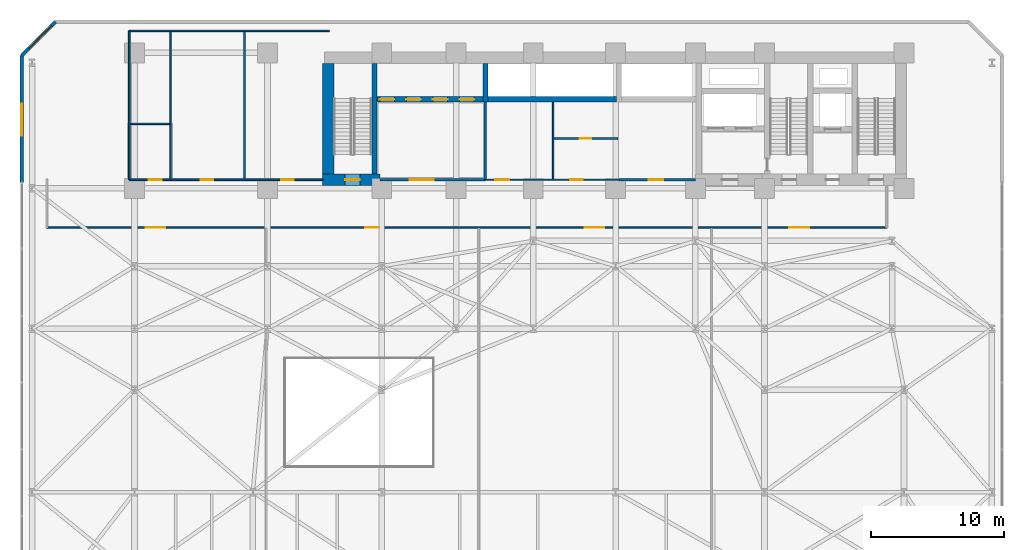
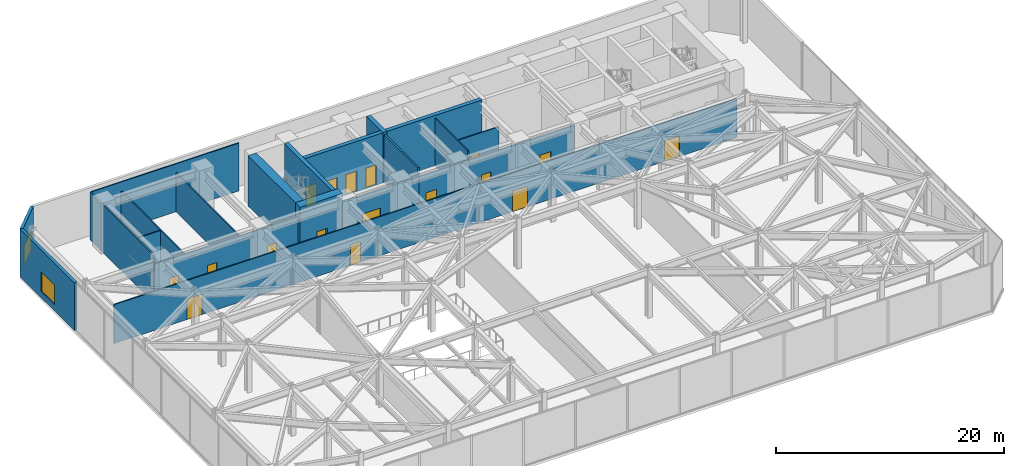
# One storey, part 25 of 29: 21 walls, 17 doors, 2 windows, 19 openings.
"""IFC4 building model written with IfcOpenShell, lengths in metres."""

from ifc_helpers import new_model, si_unit, direction, frame, frame_2d, origin, place, context, subcontext, project, spatial, rectangle, extrude, material, layer, layer_set, type_object, element, fill, save


model = new_model("IFC4")

# Units and contexts
model_context = context("Model", 3, precision=1e-05, world=origin(), true_north=direction((0.0, 1.0)))
body_context = subcontext(model_context, "Body", "Model", "MODEL_VIEW")
ifc_project = project(units=[si_unit("LENGTHUNIT", "METRE"), si_unit("AREAUNIT", "SQUARE_METRE"), si_unit("VOLUMEUNIT", "CUBIC_METRE"), si_unit("PLANEANGLEUNIT", "RADIAN"), si_unit("MASSUNIT", "GRAM", prefix="KILO")], contexts=[model_context])

# Site, building, storey
site_placement = place(None, origin())
site = spatial("IfcSite", under=ifc_project, at=site_placement, CompositionType="ELEMENT")
building_placement = place(site_placement, origin())
building = spatial("IfcBuilding", under=site, at=building_placement, Name="Kravanh Interchange Tower", CompositionType="ELEMENT")
storey_placement = place(building_placement, frame((0.0, 0.0, 5.39990234375)))
storey = spatial("IfcBuildingStorey", under=building, at=storey_placement, Name="L01", CompositionType="ELEMENT", Elevation=5.39990234375)

# Wall
ifc_material_1 = material(Name="Double Acoustic Gypsum Board and Mineral Wool")
ifc_layer_1 = layer(ifc_material_1, 0.1201171875)
ifc_layer_set_1 = layer_set([ifc_layer_1], Name="Acoustic Office Drywall Partition 120mm")
wall_type_1 = type_object("IfcWallType", Name="Acoustic Office Drywall Partition 120mm", PredefinedType="PARTITIONING", material=ifc_layer_set_1)
wall_1_placement = place(storey_placement, frame((40.10009765625, 38.068115234375, 0.0), z_axis=(0.0, 0.0, 1.0), x_axis=(0.0, 1.0, 0.0)))
element("IfcWall", 1, at=wall_1_placement, inside=storey, type_object=wall_type_1, Name="L01 Interior Partition 5", PredefinedType="PARTITIONING", context=body_context, shape_type="SweptSolid", body=[
    extrude(rectangle(XDim=5.77392578125, YDim=0.1201171875, at=frame_2d((2.886962890625, 0.0))), origin(), (0.0, 0.0, 1.0), 5.130126953125),
])

# Wall, opening, door
wall_2_placement = place(storey_placement, frame((40.16796875, 41.10009765625, 0.0), z_axis=(0.0, 0.0, 1.0), x_axis=(1.0, 0.0, 0.0)))
wall_2 = element("IfcWall", 2, at=wall_2_placement, inside=storey, type_object=wall_type_1, Name="L01 Interior Partition 6", PredefinedType="PARTITIONING", context=body_context, shape_type="SweptSolid", body=[
    extrude(rectangle(XDim=4.781982421875, YDim=0.1201171875, at=frame_2d((2.39111328125, 0.0))), origin(), (0.0, 0.0, 1.0), 4.18212890625),
])
opening_1_placement = place(wall_2_placement, frame((1.931884765625, 0.0, 0.0)))
opening_1 = element("IfcOpeningElement", 3, at=opening_1_placement, cuts=wall_2, Name="Opening D-85", PredefinedType="OPENING", context=body_context, shape_type="SweptSolid", body=[
    extrude(rectangle(XDim=0.85009765625, YDim=2.10009765625, at=frame_2d((0.425048828125, 1.050048828125))), frame((0.0, 0.070068359375, 0.0), z_axis=(0.0, -1.0, 0.0), x_axis=(1.0, 0.0, 0.0)), (0.0, 0.0, 1.0), 0.14013671875),
])
ifc_material_2 = material(Name="Engineered Teak Veneer Timber", Category="wood")
door_type_1 = type_object("IfcDoorType", Name="En-Suite Timber Door 850x2100", OperationType="NOTDEFINED", PredefinedType="DOOR", material=ifc_material_2)
door_1_placement = place(opening_1_placement, origin())
door_1 = element("IfcDoor", 4, at=door_1_placement, inside=storey, type_object=door_type_1, Name="L01 Inner Store Door", OperationType="SINGLE_SWING_RIGHT", OverallHeight=2.10009765625, OverallWidth=0.85009765625, PredefinedType="DOOR", context=body_context, shape_type="SweptSolid", body=[
    extrude(rectangle(XDim=0.85009765625, YDim=2.10009765625, at=frame_2d((0.425048828125, 1.050048828125))), frame((0.0, 0.02490234375, 0.0), z_axis=(0.0, -1.0, 0.0), x_axis=(1.0, 0.0, 0.0)), (0.0, 0.0, 1.0), 0.050048828125),
])
fill(opening_1, door_1)

# Wall, openings, doors
wall_3_placement = place(storey_placement, frame((2.0, 34.39990234375, 0.0), z_axis=(0.0, 0.0, 1.0), x_axis=(1.0, 0.0, 0.0)))
wall_3 = element("IfcWall", 5, at=wall_3_placement, inside=storey, type_object=wall_type_1, Name="L01 Interior Partition 7", PredefinedType="PARTITIONING", context=body_context, shape_type="SweptSolid", body=[
    extrude(rectangle(XDim=63.199951171875, YDim=0.1201171875, at=frame_2d((31.60009765625, 0.0))), origin(), (0.0, 0.0, 1.0), 4.18212890625),
])
opening_2_placement = place(wall_3_placement, frame((7.425048828125, 0.0, 0.0)))
opening_2 = element("IfcOpeningElement", 6, at=opening_2_placement, cuts=wall_3, Name="Opening DBL-150", PredefinedType="OPENING", context=body_context, shape_type="SweptSolid", body=[
    extrude(rectangle(XDim=1.5, YDim=2.199951171875, at=frame_2d((0.75, 1.10009765625))), frame((0.0, 0.070068359375, 0.0), z_axis=(0.0, -1.0, 0.0), x_axis=(1.0, 0.0, 0.0)), (0.0, 0.0, 1.0), 0.14013671875),
])
opening_3_placement = place(wall_3_placement, frame((23.97509765625, 0.0, 0.0)))
opening_3 = element("IfcOpeningElement", 7, at=opening_3_placement, cuts=wall_3, Name="Opening D-105", PredefinedType="OPENING", context=body_context, shape_type="SweptSolid", body=[
    extrude(rectangle(XDim=1.050048828125, YDim=2.199951171875, at=frame_2d((0.52490234375, 1.10009765625))), frame((0.0, 0.070068359375, 0.0), z_axis=(0.0, -1.0, 0.0), x_axis=(1.0, 0.0, 0.0)), (0.0, 0.0, 1.0), 0.14013671875),
])
opening_4_placement = place(wall_3_placement, frame((40.4599609375, 0.0, 0.0)))
opening_4 = element("IfcOpeningElement", 8, at=opening_4_placement, cuts=wall_3, Name="Opening DBL-150", PredefinedType="OPENING", context=body_context, shape_type="SweptSolid", body=[
    extrude(rectangle(XDim=1.5, YDim=2.199951171875, at=frame_2d((0.75, 1.10009765625))), frame((0.0, 0.070068359375, 0.0), z_axis=(0.0, -1.0, 0.0), x_axis=(1.0, 0.0, 0.0)), (0.0, 0.0, 1.0), 0.14013671875),
])
opening_5_placement = place(wall_3_placement, frame((55.875, 0.0, 0.0)))
opening_5 = element("IfcOpeningElement", 9, at=opening_5_placement, cuts=wall_3, Name="Opening DBL-150", PredefinedType="OPENING", context=body_context, shape_type="SweptSolid", body=[
    extrude(rectangle(XDim=1.5, YDim=2.199951171875, at=frame_2d((0.75, 1.10009765625))), frame((0.0, 0.070068359375, 0.0), z_axis=(0.0, -1.0, 0.0), x_axis=(1.0, 0.0, 0.0)), (0.0, 0.0, 1.0), 0.14013671875),
])
ifc_material_3 = material(Name="Acoustic Timber and Toughened Glass", Category="wood")
door_type_2 = type_object("IfcDoorType", Name="Conference Hall Double Door 1500x2200", OperationType="DOUBLE_DOOR_SINGLE_SWING", PredefinedType="DOOR", material=ifc_material_3)
door_2_placement = place(opening_2_placement, origin())
door_2 = element("IfcDoor", 10, at=door_2_placement, inside=storey, type_object=door_type_2, Name="L01 Mezzanine Retail Gallery Door", OperationType="DOUBLE_DOOR_SINGLE_SWING", OverallHeight=2.199951171875, OverallWidth=1.5, PredefinedType="DOOR", context=body_context, shape_type="SweptSolid", body=[
    extrude(rectangle(XDim=1.5, YDim=2.199951171875, at=frame_2d((0.75, 1.10009765625))), frame((0.0, 0.02490234375, 0.0), z_axis=(0.0, -1.0, 0.0), x_axis=(1.0, 0.0, 0.0)), (0.0, 0.0, 1.0), 0.050048828125),
])
fill(opening_2, door_2)
door_3_placement = place(opening_4_placement, origin())
door_3 = element("IfcDoor", 11, at=door_3_placement, inside=storey, type_object=door_type_2, Name="L01 Bookshop and Pharmacy Door", OperationType="DOUBLE_DOOR_SINGLE_SWING", OverallHeight=2.199951171875, OverallWidth=1.5, PredefinedType="DOOR", context=body_context, shape_type="SweptSolid", body=[
    extrude(rectangle(XDim=1.5, YDim=2.199951171875, at=frame_2d((0.75, 1.10009765625))), frame((0.0, 0.02490234375, 0.0), z_axis=(0.0, -1.0, 0.0), x_axis=(1.0, 0.0, 0.0)), (0.0, 0.0, 1.0), 0.050048828125),
])
fill(opening_4, door_3)
door_4_placement = place(opening_5_placement, origin())
door_4 = element("IfcDoor", 12, at=door_4_placement, inside=storey, type_object=door_type_2, Name="L01 Commuter Retail Arcade Door", OperationType="DOUBLE_DOOR_SINGLE_SWING", OverallHeight=2.199951171875, OverallWidth=1.5, PredefinedType="DOOR", context=body_context, shape_type="SweptSolid", body=[
    extrude(rectangle(XDim=1.5, YDim=2.199951171875, at=frame_2d((0.75, 1.10009765625))), frame((0.0, 0.02490234375, 0.0), z_axis=(0.0, -1.0, 0.0), x_axis=(1.0, 0.0, 0.0)), (0.0, 0.0, 1.0), 0.050048828125),
])
fill(opening_5, door_4)
ifc_material_4 = material(Name="Acoustic Glazed Oak and Aluminium", Category="aluminium")
door_type_3 = type_object("IfcDoorType", Name="Office Workplace Door 1050x2200", OperationType="NOTDEFINED", PredefinedType="DOOR", material=ifc_material_4)
door_5_placement = place(opening_3_placement, origin())
door_5 = element("IfcDoor", 13, at=door_5_placement, inside=storey, type_object=door_type_3, Name="L01 Transit Fare Overlook Hall Door", OperationType="SINGLE_SWING_RIGHT", OverallHeight=2.199951171875, OverallWidth=1.050048828125, PredefinedType="DOOR", context=body_context, shape_type="SweptSolid", body=[
    extrude(rectangle(XDim=1.050048828125, YDim=2.199951171875, at=frame_2d((0.52490234375, 1.10009765625))), frame((0.0, 0.02490234375, 0.0), z_axis=(0.0, -1.0, 0.0), x_axis=(1.0, 0.0, 0.0)), (0.0, 0.0, 1.0), 0.050048828125),
])
fill(opening_3, door_5)

wall_4_placement = place(storey_placement, frame((8.199951171875, 38.0, 0.0), z_axis=(0.0, 0.0, 1.0), x_axis=(1.0, 0.0, 0.0)))
wall_4 = element("IfcWall", 14, at=wall_4_placement, inside=storey, type_object=wall_type_1, Name="L01 Restroom Corridor Wall 10", PredefinedType="PARTITIONING", context=body_context, shape_type="SweptSolid", body=[
    extrude(rectangle(XDim=14.550048828125, YDim=0.1201171875, at=frame_2d((7.27490234375, 0.0))), origin(), (0.0, 0.0, 1.0), 4.18212890625),
])
opening_6_placement = place(wall_4_placement, frame((1.481689453125, 0.0, 0.0)))
opening_6 = element("IfcOpeningElement", 15, at=opening_6_placement, cuts=wall_4, Name="Opening D-95", PredefinedType="OPENING", context=body_context, shape_type="SweptSolid", body=[
    extrude(rectangle(XDim=0.949951171875, YDim=2.14990234375, at=frame_2d((0.47509765625, 1.074951171875))), frame((0.0, 0.070068359375, 0.0), z_axis=(0.0, -1.0, 0.0), x_axis=(1.0, 0.0, 0.0)), (0.0, 0.0, 1.0), 0.14013671875),
])
opening_7_placement = place(wall_4_placement, frame((5.369873046875, 0.0, 0.0)))
opening_7 = element("IfcOpeningElement", 16, at=opening_7_placement, cuts=wall_4, Name="Opening D-95", PredefinedType="OPENING", context=body_context, shape_type="SweptSolid", body=[
    extrude(rectangle(XDim=0.949951171875, YDim=2.14990234375, at=frame_2d((0.47509765625, 1.074951171875))), frame((0.0, 0.070068359375, 0.0), z_axis=(0.0, -1.0, 0.0), x_axis=(1.0, 0.0, 0.0)), (0.0, 0.0, 1.0), 0.14013671875),
])
opening_8_placement = place(wall_4_placement, frame((11.436767578125, 0.0, 0.0)))
opening_8 = element("IfcOpeningElement", 17, at=opening_8_placement, cuts=wall_4, Name="Opening D-95", PredefinedType="OPENING", context=body_context, shape_type="SweptSolid", body=[
    extrude(rectangle(XDim=0.949951171875, YDim=2.14990234375, at=frame_2d((0.47509765625, 1.074951171875))), frame((0.0, 0.070068359375, 0.0), z_axis=(0.0, -1.0, 0.0), x_axis=(1.0, 0.0, 0.0)), (0.0, 0.0, 1.0), 0.14013671875),
])
ifc_material_5 = material(Name="Laminate Solid-Core Timber", Category="wood")
door_type_4 = type_object("IfcDoorType", Name="Accessible Restroom Door 950x2150", OperationType="NOTDEFINED", PredefinedType="DOOR", material=ifc_material_5)
door_6_placement = place(opening_6_placement, origin())
door_6 = element("IfcDoor", 18, at=door_6_placement, inside=storey, type_object=door_type_4, Name="L01 Accessible WC Door", OperationType="SINGLE_SWING_LEFT", OverallHeight=2.14990234375, OverallWidth=0.949951171875, PredefinedType="DOOR", context=body_context, shape_type="SweptSolid", body=[
    extrude(rectangle(XDim=0.949951171875, YDim=2.14990234375, at=frame_2d((0.47509765625, 1.074951171875))), frame((0.0, 0.02490234375, 0.0), z_axis=(0.0, -1.0, 0.0), x_axis=(1.0, 0.0, 0.0)), (0.0, 0.0, 1.0), 0.050048828125),
])
fill(opening_6, door_6)
door_7_placement = place(opening_7_placement, origin())
door_7 = element("IfcDoor", 19, at=door_7_placement, inside=storey, type_object=door_type_4, Name="L01 Female WC Door", OperationType="SINGLE_SWING_RIGHT", OverallHeight=2.14990234375, OverallWidth=0.949951171875, PredefinedType="DOOR", context=body_context, shape_type="SweptSolid", body=[
    extrude(rectangle(XDim=0.949951171875, YDim=2.14990234375, at=frame_2d((0.47509765625, 1.074951171875))), frame((0.0, 0.02490234375, 0.0), z_axis=(0.0, -1.0, 0.0), x_axis=(1.0, 0.0, 0.0)), (0.0, 0.0, 1.0), 0.050048828125),
])
fill(opening_7, door_7)
door_8_placement = place(opening_8_placement, origin())
door_8 = element("IfcDoor", 20, at=door_8_placement, inside=storey, type_object=door_type_4, Name="L01 Male WC Door", OperationType="SINGLE_SWING_LEFT", OverallHeight=2.14990234375, OverallWidth=0.949951171875, PredefinedType="DOOR", context=body_context, shape_type="SweptSolid", body=[
    extrude(rectangle(XDim=0.949951171875, YDim=2.14990234375, at=frame_2d((0.47509765625, 1.074951171875))), frame((0.0, 0.02490234375, 0.0), z_axis=(0.0, -1.0, 0.0), x_axis=(1.0, 0.0, 0.0)), (0.0, 0.0, 1.0), 0.050048828125),
])
fill(opening_8, door_8)

# Walls
wall_5_placement = place(storey_placement, frame((8.199951171875, 38.0, 0.0), z_axis=(0.0, 0.0, 1.0), x_axis=(0.0, 1.0, 0.0)))
element("IfcWall", 21, at=wall_5_placement, inside=storey, type_object=wall_type_1, Name="L01 Restroom West Enclosure 11", PredefinedType="PARTITIONING", context=body_context, shape_type="SweptSolid", body=[
    extrude(rectangle(XDim=11.199951171875, YDim=0.1201171875, at=frame_2d((5.60009765625, 0.0))), origin(), (0.0, 0.0, 1.0), 5.130126953125),
])
wall_6_placement = place(storey_placement, frame((8.199951171875, 49.199951171875, 0.0), z_axis=(0.0, 0.0, 1.0), x_axis=(1.0, 0.0, 0.0)))
element("IfcWall", 22, at=wall_6_placement, inside=storey, type_object=wall_type_1, Name="L01 Restroom North Enclosure 12", PredefinedType="PARTITIONING", context=body_context, shape_type="SweptSolid", body=[
    extrude(rectangle(XDim=15.050048828125, YDim=0.1201171875, at=frame_2d((7.52490234375, 0.0))), origin(), (0.0, 0.0, 1.0), 5.130126953125),
])
for number, where, z_axis, x_axis, name in (
    (23, (11.300048828125, 38.068115234375, 0.0), (0.0, 0.0, 1.0), (0.0, 1.0, 0.0), "L01 Interior Partition 13"),
    (24, (16.8701171875, 38.068115234375, 0.0), (0.0, 0.0, 1.0), (0.0, 1.0, 0.0), "L01 Interior Partition 14"),
):
    element("IfcWall", number, at=place(storey_placement, frame(where, z_axis=z_axis, x_axis=x_axis)), inside=storey, type_object=wall_type_1, Name=name, PredefinedType="PARTITIONING", context=body_context, shape_type="SweptSolid", body=[
        extrude(rectangle(XDim=11.06396484375, YDim=0.1201171875, at=frame_2d((5.531982421875, 0.0))), origin(), (0.0, 0.0, 1.0), 4.18212890625),
    ])
wall_7_placement = place(storey_placement, frame((8.26806640625, 42.199951171875, 0.0), z_axis=(0.0, 0.0, 1.0), x_axis=(1.0, 0.0, 0.0)))
element("IfcWall", 25, at=wall_7_placement, inside=storey, type_object=wall_type_1, Name="L01 Interior Partition 15", PredefinedType="PARTITIONING", context=body_context, shape_type="SweptSolid", body=[
    extrude(rectangle(XDim=2.9638671875, YDim=0.1201171875, at=frame_2d((1.48193359375, 0.0))), origin(), (0.0, 0.0, 1.0), 4.18212890625),
])
ifc_material_6 = material(Name="Concrete C80/95", Category="concrete")
ifc_layer_2 = layer(ifc_material_6, 0.39990234375)
ifc_layer_set_2 = layer_set([ifc_layer_2], Name="Core Shear Wall Concrete C80/95 400mm")
wall_type_2 = type_object("IfcWallType", Name="Core Shear Wall Concrete C80/95 400mm", PredefinedType="SHEAR", material=ifc_layer_set_2)
wall_8_placement = place(storey_placement, frame((35.199951171875, 44.050048828125, 0.0), z_axis=(0.0, 0.0, 1.0), x_axis=(1.0, 0.0, 0.0)))
element("IfcWall", 26, at=wall_8_placement, inside=storey, type_object=wall_type_2, Name="L01 Mid-Rise Lift Shaft South Wall", PredefinedType="SHEAR", context=body_context, shape_type="SweptSolid", body=[
    extrude(rectangle(XDim=9.650146484375, YDim=0.39990234375, at=frame_2d((4.8251953125, 0.0))), origin(), (0.0, 0.0, 1.0), 5.400146484375),
])
wall_9_placement = place(storey_placement, frame((35.0, 43.85009765625, 0.0), z_axis=(0.0, 0.0, 1.0), x_axis=(0.0, 1.0, 0.0)))
element("IfcWall", 27, at=wall_9_placement, inside=storey, type_object=wall_type_2, Name="L01 Mid-Rise Lift Shaft West Wall", PredefinedType="SHEAR", context=body_context, shape_type="SweptSolid", body=[
    extrude(rectangle(XDim=2.89990234375, YDim=0.39990234375, at=frame_2d((1.449951171875, 0.0))), origin(), (0.0, 0.0, 1.0), 5.400146484375),
])

# Wall, openings, doors
wall_10_placement = place(storey_placement, frame((26.85009765625, 44.050048828125, 0.0), z_axis=(0.0, 0.0, 1.0), x_axis=(1.0, 0.0, 0.0)))
wall_10 = element("IfcWall", 28, at=wall_10_placement, inside=storey, type_object=wall_type_2, Name="L01 Low-Rise Lift Shaft South Wall", PredefinedType="SHEAR", context=body_context, shape_type="SweptSolid", body=[
    extrude(rectangle(XDim=7.949951171875, YDim=0.39990234375, at=frame_2d((3.97509765625, 0.0))), origin(), (0.0, 0.0, 1.0), 5.400146484375),
])
opening_9_placement = place(wall_10_placement, frame((0.199951171875, 0.0, 0.0)))
opening_9 = element("IfcOpeningElement", 29, at=opening_9_placement, cuts=wall_10, Name="Opening LD01", PredefinedType="OPENING", context=body_context, shape_type="SweptSolid", body=[
    extrude(rectangle(XDim=1.10009765625, YDim=2.199951171875, at=frame_2d((0.550048828125, 1.10009765625))), frame((0.0, 0.2099609375, 0.0), z_axis=(0.0, -1.0, 0.0), x_axis=(1.0, 0.0, 0.0)), (0.0, 0.0, 1.0), 0.419921875),
])
opening_10_placement = place(wall_10_placement, frame((2.199951171875, 0.0, 0.0)))
opening_10 = element("IfcOpeningElement", 30, at=opening_10_placement, cuts=wall_10, Name="Opening LD01", PredefinedType="OPENING", context=body_context, shape_type="SweptSolid", body=[
    extrude(rectangle(XDim=1.10009765625, YDim=2.199951171875, at=frame_2d((0.550048828125, 1.10009765625))), frame((0.0, 0.2099609375, 0.0), z_axis=(0.0, -1.0, 0.0), x_axis=(1.0, 0.0, 0.0)), (0.0, 0.0, 1.0), 0.419921875),
])
opening_11_placement = place(wall_10_placement, frame((4.199951171875, 0.0, 0.0)))
opening_11 = element("IfcOpeningElement", 31, at=opening_11_placement, cuts=wall_10, Name="Opening LD01", PredefinedType="OPENING", context=body_context, shape_type="SweptSolid", body=[
    extrude(rectangle(XDim=1.10009765625, YDim=2.199951171875, at=frame_2d((0.550048828125, 1.10009765625))), frame((0.0, 0.2099609375, 0.0), z_axis=(0.0, -1.0, 0.0), x_axis=(1.0, 0.0, 0.0)), (0.0, 0.0, 1.0), 0.419921875),
])
opening_12_placement = place(wall_10_placement, frame((6.199951171875, 0.0, 0.0)))
opening_12 = element("IfcOpeningElement", 32, at=opening_12_placement, cuts=wall_10, Name="Opening LD01", PredefinedType="OPENING", context=body_context, shape_type="SweptSolid", body=[
    extrude(rectangle(XDim=1.10009765625, YDim=2.199951171875, at=frame_2d((0.550048828125, 1.10009765625))), frame((0.0, 0.2099609375, 0.0), z_axis=(0.0, -1.0, 0.0), x_axis=(1.0, 0.0, 0.0)), (0.0, 0.0, 1.0), 0.419921875),
])
ifc_material_7 = material(Name="Stainless Steel 304", Category="steel")
door_type_5 = type_object("IfcDoorType", Name="Passenger Lift Sliding Landing Door 1100x2200", OperationType="DOUBLE_DOOR_SLIDING", PredefinedType="DOOR", material=ifc_material_7)
door_9_placement = place(opening_9_placement, origin())
door_9 = element("IfcDoor", 33, at=door_9_placement, inside=storey, type_object=door_type_5, Name="L01 Lift LP-L1 Landing Door", OperationType="DOUBLE_DOOR_SLIDING", OverallHeight=2.199951171875, OverallWidth=1.10009765625, PredefinedType="DOOR", context=body_context, shape_type="SweptSolid", body=[
    extrude(rectangle(XDim=1.10009765625, YDim=2.199951171875, at=frame_2d((0.550048828125, 1.10009765625))), frame((0.0, 0.02490234375, 0.0), z_axis=(0.0, -1.0, 0.0), x_axis=(1.0, 0.0, 0.0)), (0.0, 0.0, 1.0), 0.050048828125),
])
fill(opening_9, door_9)
door_10_placement = place(opening_10_placement, origin())
door_10 = element("IfcDoor", 34, at=door_10_placement, inside=storey, type_object=door_type_5, Name="L01 Lift LP-L2 Landing Door", OperationType="DOUBLE_DOOR_SLIDING", OverallHeight=2.199951171875, OverallWidth=1.10009765625, PredefinedType="DOOR", context=body_context, shape_type="SweptSolid", body=[
    extrude(rectangle(XDim=1.10009765625, YDim=2.199951171875, at=frame_2d((0.550048828125, 1.10009765625))), frame((0.0, 0.02490234375, 0.0), z_axis=(0.0, -1.0, 0.0), x_axis=(1.0, 0.0, 0.0)), (0.0, 0.0, 1.0), 0.050048828125),
])
fill(opening_10, door_10)
door_11_placement = place(opening_11_placement, origin())
door_11 = element("IfcDoor", 35, at=door_11_placement, inside=storey, type_object=door_type_5, Name="L01 Lift LP-L3 Landing Door", OperationType="DOUBLE_DOOR_SLIDING", OverallHeight=2.199951171875, OverallWidth=1.10009765625, PredefinedType="DOOR", context=body_context, shape_type="SweptSolid", body=[
    extrude(rectangle(XDim=1.10009765625, YDim=2.199951171875, at=frame_2d((0.550048828125, 1.10009765625))), frame((0.0, 0.02490234375, 0.0), z_axis=(0.0, -1.0, 0.0), x_axis=(1.0, 0.0, 0.0)), (0.0, 0.0, 1.0), 0.050048828125),
])
fill(opening_11, door_11)
door_12_placement = place(opening_12_placement, origin())
door_12 = element("IfcDoor", 36, at=door_12_placement, inside=storey, type_object=door_type_5, Name="L01 Lift LP-L4 Landing Door", OperationType="DOUBLE_DOOR_SLIDING", OverallHeight=2.199951171875, OverallWidth=1.10009765625, PredefinedType="DOOR", context=body_context, shape_type="SweptSolid", body=[
    extrude(rectangle(XDim=1.10009765625, YDim=2.199951171875, at=frame_2d((0.550048828125, 1.10009765625))), frame((0.0, 0.02490234375, 0.0), z_axis=(0.0, -1.0, 0.0), x_axis=(1.0, 0.0, 0.0)), (0.0, 0.0, 1.0), 0.050048828125),
])
fill(opening_12, door_12)

# Wall
wall_11_placement = place(storey_placement, frame((26.64990234375, 38.425048828125, 0.0), z_axis=(0.0, 0.0, 1.0), x_axis=(0.0, 1.0, 0.0)))
element("IfcWall", 37, at=wall_11_placement, inside=storey, type_object=wall_type_2, Name="L01 Stair ST3 East Shear Wall", PredefinedType="SHEAR", context=body_context, shape_type="SweptSolid", body=[
    extrude(rectangle(XDim=8.324951171875, YDim=0.39990234375, at=frame_2d((4.16259765625, 0.0))), origin(), (0.0, 0.0, 1.0), 5.400146484375),
])

# Wall, opening, door
ifc_material_8 = material(Name="Concrete C80/95", Category="concrete")
ifc_layer_3 = layer(ifc_material_8, 0.85009765625)
ifc_layer_set_3 = layer_set([ifc_layer_3], Name="Core Shear Wall Concrete C80/95 850mm")
wall_type_3 = type_object("IfcWallType", Name="Core Shear Wall Concrete C80/95 850mm", PredefinedType="SHEAR", material=ifc_layer_set_3)
wall_12_placement = place(storey_placement, frame((22.75, 38.0, 0.0), z_axis=(0.0, 0.0, 1.0), x_axis=(1.0, 0.0, 0.0)))
wall_12 = element("IfcWall", 38, at=wall_12_placement, inside=storey, type_object=wall_type_3, Name="L01 Stair ST3 South Shear Wall", PredefinedType="SHEAR", context=body_context, shape_type="SweptSolid", body=[
    extrude(rectangle(XDim=4.300048828125, YDim=0.85009765625, at=frame_2d((2.14990234375, 0.0))), origin(), (0.0, 0.0, 1.0), 5.400146484375),
])
opening_13_placement = place(wall_12_placement, frame((1.699951171875, 0.0, 0.0)))
opening_13 = element("IfcOpeningElement", 39, at=opening_13_placement, cuts=wall_12, Name="Opening D-STAIR-110", PredefinedType="OPENING", context=body_context, shape_type="SweptSolid", body=[
    extrude(rectangle(XDim=1.10009765625, YDim=2.199951171875, at=frame_2d((0.550048828125, 1.10009765625))), frame((0.0, 0.43505859375, 0.0), z_axis=(0.0, -1.0, 0.0), x_axis=(1.0, 0.0, 0.0)), (0.0, 0.0, 1.0), 0.8701171875),
])
ifc_material_9 = material(Name="Structural Steel S355", Category="steel")
door_type_6 = type_object("IfcDoorType", Name="Fire-Rated Exit Stair Door 1100x2200", OperationType="NOTDEFINED", PredefinedType="DOOR", material=ifc_material_9)
door_13_placement = place(opening_13_placement, origin())
door_13 = element("IfcDoor", 40, at=door_13_placement, inside=storey, type_object=door_type_6, Name="L01 Exit Stair ST3 Door", OperationType="SINGLE_SWING_RIGHT", OverallHeight=2.199951171875, OverallWidth=1.10009765625, PredefinedType="DOOR", context=body_context, shape_type="SweptSolid", body=[
    extrude(rectangle(XDim=1.10009765625, YDim=2.199951171875, at=frame_2d((0.550048828125, 1.10009765625))), frame((0.0, 0.02490234375, 0.0), z_axis=(0.0, -1.0, 0.0), x_axis=(1.0, 0.0, 0.0)), (0.0, 0.0, 1.0), 0.050048828125),
])
fill(opening_13, door_13)

# Wall
wall_13_placement = place(storey_placement, frame((23.175048828125, 38.425048828125, 0.0), z_axis=(0.0, 0.0, 1.0), x_axis=(0.0, 1.0, 0.0)))
element("IfcWall", 41, at=wall_13_placement, inside=storey, type_object=wall_type_3, Name="L01 Stair ST3 West Shear Wall", PredefinedType="SHEAR", context=body_context, shape_type="SweptSolid", body=[
    extrude(rectangle(XDim=8.324951171875, YDim=0.85009765625, at=frame_2d((4.16259765625, 0.0))), origin(), (0.0, 0.0, 1.0), 5.400146484375),
])

# Wall, opening, window
ifc_material_10 = material(Name="Insulated Precast Concrete C40/50 with Bronze Cladding", Category="concrete")
ifc_layer_4 = layer(ifc_material_10, 0.280029296875)
ifc_layer_set_4 = layer_set([ifc_layer_4], Name="Exterior Insulated Concrete C40/50 Bronze Spandrel Wall 280mm")
wall_type_4 = type_object("IfcWallType", Name="Exterior Insulated Concrete C40/50 Bronze Spandrel Wall 280mm", PredefinedType="STANDARD", material=ifc_layer_set_4)
wall_14_placement = place(storey_placement, frame((0.1201171875, 37.800048828125, 0.0), z_axis=(0.0, 0.0, 1.0), x_axis=(0.0, 1.0, 0.0)))
wall_14 = element("IfcWall", 42, at=wall_14_placement, inside=storey, type_object=wall_type_4, Name="L01 Exterior Wall 1", PredefinedType="STANDARD", context=body_context, shape_type="SweptSolid", body=[
    extrude(rectangle(XDim=9.55029296875, YDim=0.280029296875, at=frame_2d((4.775146484375, 0.0))), origin(), (0.0, 0.0, 1.0), 5.130126953125),
])
opening_14_placement = place(wall_14_placement, frame((3.5146484375, 0.0, 0.64990234375)))
opening_14 = element("IfcOpeningElement", 43, at=opening_14_placement, cuts=wall_14, Name="Opening WN-240X210", PredefinedType="OPENING", context=body_context, shape_type="SweptSolid", body=[
    extrude(rectangle(XDim=2.39990234375, YDim=2.10009765625, at=frame_2d((1.199951171875, 1.050048828125))), frame((0.0, 0.14990234375, 0.0), z_axis=(0.0, -1.0, 0.0), x_axis=(1.0, 0.0, 0.0)), (0.0, 0.0, 1.0), 0.300048828125),
])
ifc_material_11 = material(Name="Thermally Broken Bronze Aluminium and Low-E Glass", Category="aluminium")
window_type = type_object("IfcWindowType", Name="Podium Punched Window 2400x2100", PartitioningType="SINGLE_PANEL", PredefinedType="WINDOW", material=ifc_material_11)
window_1_placement = place(opening_14_placement, origin())
window_1 = element("IfcWindow", 44, at=window_1_placement, inside=storey, type_object=window_type, Name="L01 Corner Window 1", OverallHeight=2.10009765625, OverallWidth=2.39990234375, PartitioningType="SINGLE_PANEL", PredefinedType="WINDOW", context=body_context, shape_type="SweptSolid", body=[
    extrude(rectangle(XDim=2.39990234375, YDim=2.10009765625, at=frame_2d((1.199951171875, 1.050048828125))), frame((0.0, 0.030029296875, 0.0), z_axis=(0.0, -1.0, 0.0), x_axis=(1.0, 0.0, 0.0)), (0.0, 0.0, 1.0), 0.06005859375),
])
fill(opening_14, window_1)

wall_15_placement = place(storey_placement, frame((0.1201171875, 47.350341796875, 0.0), z_axis=(0.0, 0.0, 1.0), x_axis=(0.707106781187, 0.707106781187, 0.0)))
wall_15 = element("IfcWall", 45, at=wall_15_placement, inside=storey, type_object=wall_type_4, Name="L01 Exterior Wall 2", PredefinedType="STANDARD", context=body_context, shape_type="SweptSolid", body=[
    extrude(rectangle(XDim=3.577392578125, YDim=0.280029296875, at=frame_2d((1.78857421875, 0.0))), origin(), (0.0, 0.0, 1.0), 5.130126953125),
])
opening_15_placement = place(wall_15_placement, frame((0.750732421875, 0.0, 0.64990234375)))
opening_15 = element("IfcOpeningElement", 46, at=opening_15_placement, cuts=wall_15, Name="Opening WN-240X210", PredefinedType="OPENING", context=body_context, shape_type="SweptSolid", body=[
    extrude(rectangle(XDim=2.39990234375, YDim=2.10009765625, at=frame_2d((1.199951171875, 1.050048828125))), frame((0.0, 0.14990234375, 0.0), z_axis=(0.0, -1.0, 0.0), x_axis=(1.0, 0.0, 0.0)), (0.0, 0.0, 1.0), 0.300048828125),
])
window_2_placement = place(opening_15_placement, origin())
window_2 = element("IfcWindow", 47, at=window_2_placement, inside=storey, type_object=window_type, Name="L01 Corner Window 2", OverallHeight=2.10009765625, OverallWidth=2.39990234375, PartitioningType="SINGLE_PANEL", PredefinedType="WINDOW", context=body_context, shape_type="SweptSolid", body=[
    extrude(rectangle(XDim=2.39990234375, YDim=2.10009765625, at=frame_2d((1.199951171875, 1.050048828125))), frame((0.0, 0.030029296875, 0.0), z_axis=(0.0, -1.0, 0.0), x_axis=(1.0, 0.0, 0.0)), (0.0, 0.0, 1.0), 0.06005859375),
])
fill(opening_15, window_2)

# Wall, opening, door
ifc_material_12 = material(Name="Autoclaved Aerated Concrete C30/37 Blockwork", Category="masonry")
ifc_layer_5 = layer(ifc_material_12, 0.179931640625)
ifc_layer_set_5 = layer_set([ifc_layer_5], Name="Fire-Rated Lobby and Corridor Wall Concrete C30/37 180mm")
wall_type_5 = type_object("IfcWallType", Name="Fire-Rated Lobby and Corridor Wall Concrete C30/37 180mm", PredefinedType="STANDARD", material=ifc_layer_set_5)
wall_16_placement = place(storey_placement, frame((45.050048828125, 38.0, 0.0), z_axis=(0.0, 0.0, 1.0), x_axis=(1.0, 0.0, 0.0)))
wall_16 = element("IfcWall", 48, at=wall_16_placement, inside=storey, type_object=wall_type_5, Name="L01 Core South Enclosure 1", PredefinedType="STANDARD", context=body_context, shape_type="SweptSolid", body=[
    extrude(rectangle(XDim=5.75, YDim=0.179931640625, at=frame_2d((2.875, 0.0))), origin(), (0.0, 0.0, 1.0), 4.18212890625),
])
opening_16_placement = place(wall_16_placement, frame((2.240478515625, 0.0, 0.0)))
opening_16 = element("IfcOpeningElement", 49, at=opening_16_placement, cuts=wall_16, Name="Opening D-SHAFT-110", PredefinedType="OPENING", context=body_context, shape_type="SweptSolid", body=[
    extrude(rectangle(XDim=1.10009765625, YDim=2.199951171875, at=frame_2d((0.550048828125, 1.10009765625))), frame((0.0, 0.10009765625, 0.0), z_axis=(0.0, -1.0, 0.0), x_axis=(1.0, 0.0, 0.0)), (0.0, 0.0, 1.0), 0.199951171875),
])
ifc_material_13 = material(Name="Fire-Rated Composite Timber Leaf", Category="wood")
door_type_7 = type_object("IfcDoorType", Name="Fire-Rated Core Support Door 1100x2200", OperationType="NOTDEFINED", PredefinedType="DOOR", material=ifc_material_13)
door_14_placement = place(opening_16_placement, origin())
door_14 = element("IfcDoor", 50, at=door_14_placement, inside=storey, type_object=door_type_7, Name="L01 Core AHU Fan Room Door", OperationType="SINGLE_SWING_LEFT", OverallHeight=2.199951171875, OverallWidth=1.10009765625, PredefinedType="DOOR", context=body_context, shape_type="SweptSolid", body=[
    extrude(rectangle(XDim=1.10009765625, YDim=2.199951171875, at=frame_2d((0.550048828125, 1.10009765625))), frame((0.0, 0.02490234375, 0.0), z_axis=(0.0, -1.0, 0.0), x_axis=(1.0, 0.0, 0.0)), (0.0, 0.0, 1.0), 0.050048828125),
])
fill(opening_16, door_14)

# Wall
wall_17_placement = place(storey_placement, frame((35.0, 38.0, 0.0), z_axis=(0.0, 0.0, 1.0), x_axis=(0.0, 1.0, 0.0)))
element("IfcWall", 51, at=wall_17_placement, inside=storey, type_object=wall_type_5, Name="L01 Low-Rise Lobby East Wall 2", PredefinedType="STANDARD", context=body_context, shape_type="SweptSolid", body=[
    extrude(rectangle(XDim=5.85009765625, YDim=0.179931640625, at=frame_2d((2.925048828125, 0.0))), origin(), (0.0, 0.0, 1.0), 5.130126953125),
])

# Wall, opening, door
wall_18_placement = place(storey_placement, frame((27.050048828125, 38.0, 0.0), z_axis=(0.0, 0.0, 1.0), x_axis=(1.0, 0.0, 0.0)))
wall_18 = element("IfcWall", 52, at=wall_18_placement, inside=storey, type_object=wall_type_5, Name="L01 Low-Rise Lobby South Wall 3", PredefinedType="STANDARD", context=body_context, shape_type="SweptSolid", body=[
    extrude(rectangle(XDim=7.949951171875, YDim=0.179931640625, at=frame_2d((3.97509765625, 0.0))), origin(), (0.0, 0.0, 1.0), 4.18212890625),
])
opening_17_placement = place(wall_18_placement, frame((2.25, 0.0, 0.0)))
opening_17 = element("IfcOpeningElement", 53, at=opening_17_placement, cuts=wall_18, Name="Opening DBL-180", PredefinedType="OPENING", context=body_context, shape_type="SweptSolid", body=[
    extrude(rectangle(XDim=1.800048828125, YDim=2.199951171875, at=frame_2d((0.89990234375, 1.10009765625))), frame((0.0, 0.10009765625, 0.0), z_axis=(0.0, -1.0, 0.0), x_axis=(1.0, 0.0, 0.0)), (0.0, 0.0, 1.0), 0.199951171875),
])
ifc_material_14 = material(Name="Structural Steel S355", Category="steel")
door_type_8 = type_object("IfcDoorType", Name="Lift Lobby Double Fire Door 1800x2200", OperationType="DOUBLE_DOOR_SINGLE_SWING", PredefinedType="DOOR", material=ifc_material_14)
door_15_placement = place(opening_17_placement, origin())
door_15 = element("IfcDoor", 54, at=door_15_placement, inside=storey, type_object=door_type_8, Name="L01 Low-Rise Lift Lobby Door", OperationType="DOUBLE_DOOR_SINGLE_SWING", OverallHeight=2.199951171875, OverallWidth=1.800048828125, PredefinedType="DOOR", context=body_context, shape_type="SweptSolid", body=[
    extrude(rectangle(XDim=1.800048828125, YDim=2.199951171875, at=frame_2d((0.89990234375, 1.10009765625))), frame((0.0, 0.02490234375, 0.0), z_axis=(0.0, -1.0, 0.0), x_axis=(1.0, 0.0, 0.0)), (0.0, 0.0, 1.0), 0.050048828125),
])
fill(opening_17, door_15)

# Wall, openings, doors
ifc_material_15 = material(Name="Twin Stud Acoustic Gypsum Board Wall")
ifc_layer_6 = layer(ifc_material_15, 0.14990234375)
ifc_layer_set_6 = layer_set([ifc_layer_6], Name="Medium-Duty Acoustic Partition 150mm")
wall_type_6 = type_object("IfcWallType", Name="Medium-Duty Acoustic Partition 150mm", PredefinedType="PARTITIONING", material=ifc_layer_set_6)
wall_19_placement = place(storey_placement, frame((35.0, 38.0, 0.0), z_axis=(0.0, 0.0, 1.0), x_axis=(1.0, 0.0, 0.0)))
wall_19 = element("IfcWall", 55, at=wall_19_placement, inside=storey, type_object=wall_type_6, Name="L01 Core Support South Wall 4", PredefinedType="PARTITIONING", context=body_context, shape_type="SweptSolid", body=[
    extrude(rectangle(XDim=10.050048828125, YDim=0.14990234375, at=frame_2d((5.02490234375, 0.0))), origin(), (0.0, 0.0, 1.0), 4.18212890625),
])
opening_18_placement = place(wall_19_placement, frame((0.75, 0.0, 0.0)))
opening_18 = element("IfcOpeningElement", 56, at=opening_18_placement, cuts=wall_19, Name="Opening D-105", PredefinedType="OPENING", context=body_context, shape_type="SweptSolid", body=[
    extrude(rectangle(XDim=1.050048828125, YDim=2.199951171875, at=frame_2d((0.52490234375, 1.10009765625))), frame((0.0, 0.0849609375, 0.0), z_axis=(0.0, -1.0, 0.0), x_axis=(1.0, 0.0, 0.0)), (0.0, 0.0, 1.0), 0.169921875),
])
opening_19_placement = place(wall_19_placement, frame((6.375, 0.0, 0.0)))
opening_19 = element("IfcOpeningElement", 57, at=opening_19_placement, cuts=wall_19, Name="Opening D-95", PredefinedType="OPENING", context=body_context, shape_type="SweptSolid", body=[
    extrude(rectangle(XDim=0.949951171875, YDim=2.14990234375, at=frame_2d((0.47509765625, 1.074951171875))), frame((0.0, 0.0849609375, 0.0), z_axis=(0.0, -1.0, 0.0), x_axis=(1.0, 0.0, 0.0)), (0.0, 0.0, 1.0), 0.169921875),
])
door_16_placement = place(opening_19_placement, origin())
door_16 = element("IfcDoor", 58, at=door_16_placement, inside=storey, type_object=door_type_4, Name="L01 Mail Room Door", OperationType="SINGLE_SWING_LEFT", OverallHeight=2.14990234375, OverallWidth=0.949951171875, PredefinedType="DOOR", context=body_context, shape_type="SweptSolid", body=[
    extrude(rectangle(XDim=0.949951171875, YDim=2.14990234375, at=frame_2d((0.47509765625, 1.074951171875))), frame((0.0, 0.02490234375, 0.0), z_axis=(0.0, -1.0, 0.0), x_axis=(1.0, 0.0, 0.0)), (0.0, 0.0, 1.0), 0.050048828125),
])
fill(opening_19, door_16)
door_17_placement = place(opening_18_placement, origin())
door_17 = element("IfcDoor", 59, at=door_17_placement, inside=storey, type_object=door_type_3, Name="L01 Server Room Door", OperationType="SINGLE_SWING_RIGHT", OverallHeight=2.199951171875, OverallWidth=1.050048828125, PredefinedType="DOOR", context=body_context, shape_type="SweptSolid", body=[
    extrude(rectangle(XDim=1.050048828125, YDim=2.199951171875, at=frame_2d((0.52490234375, 1.10009765625))), frame((0.0, 0.02490234375, 0.0), z_axis=(0.0, -1.0, 0.0), x_axis=(1.0, 0.0, 0.0)), (0.0, 0.0, 1.0), 0.050048828125),
])
fill(opening_18, door_17)

save(model, "model.ifc")
